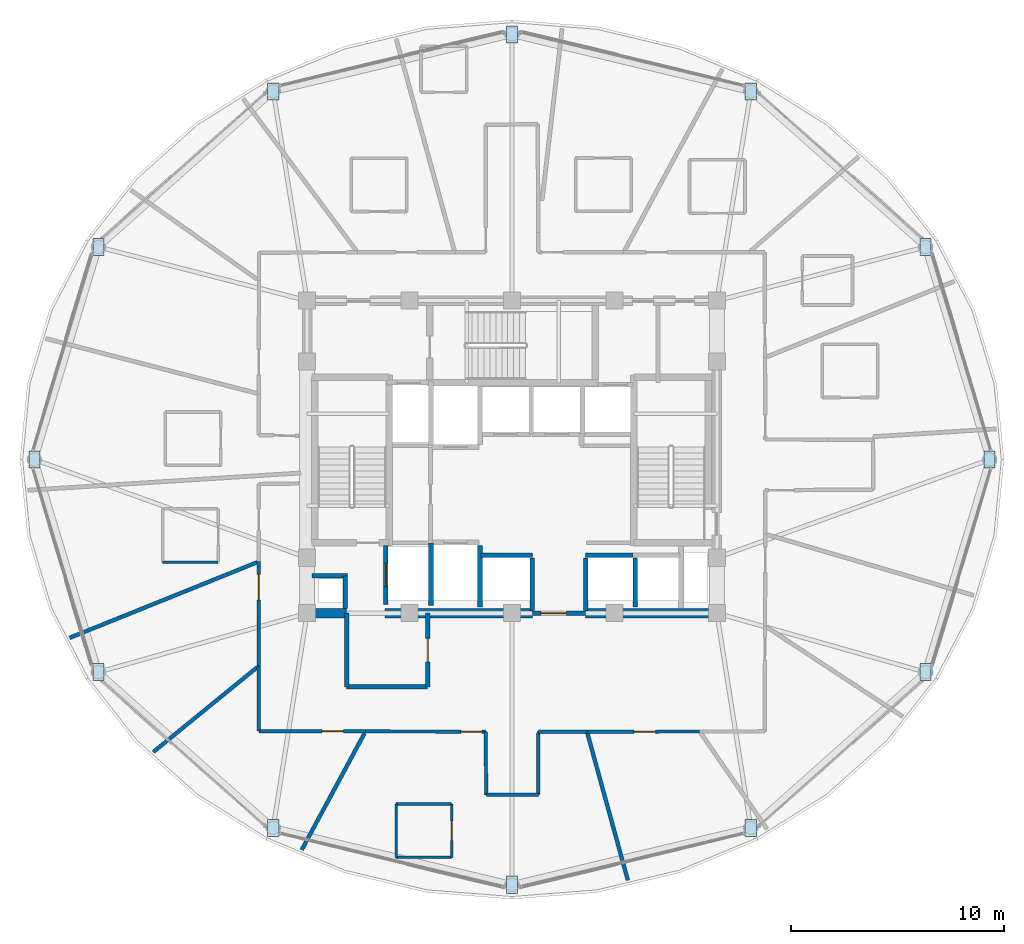
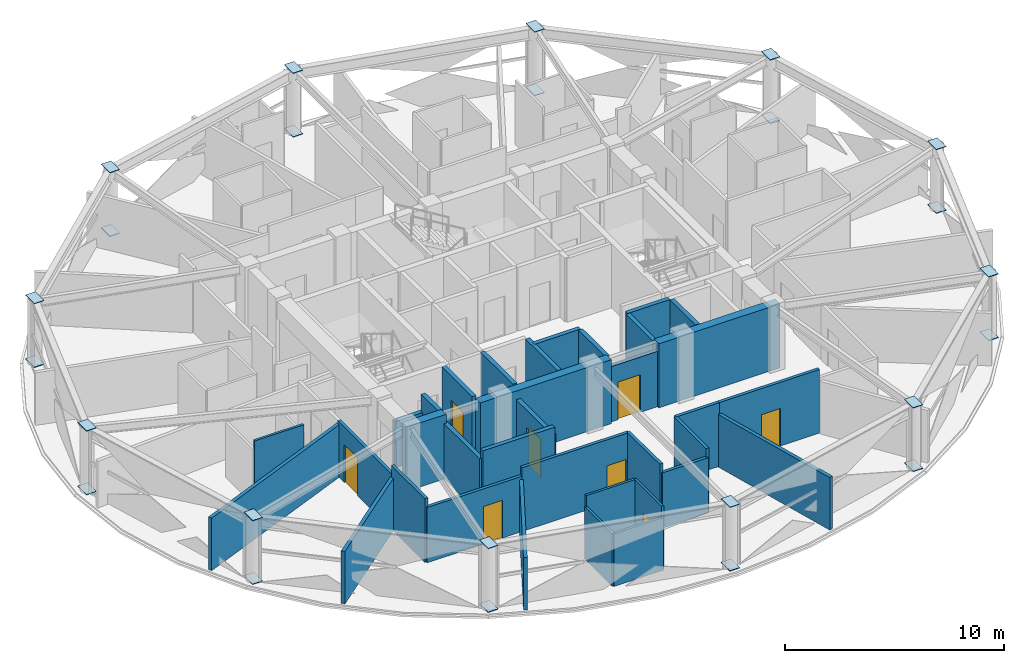
# One storey, part 22 of 30: 35 walls, 24 plates, 8 doors, 8 openings.
"""IFC4 building model written with IfcOpenShell, lengths in metres."""

from ifc_helpers import new_model, si_unit, direction, frame, frame_2d, origin, place, context, subcontext, project, spatial, polyline, rectangle, outline, extrude, material, layer, layer_set, type_object, element, fill, save


model = new_model("IFC4")

# Units and contexts
model_context = context("Model", 3, precision=1e-05, world=origin(), true_north=direction((0.0, 1.0)))
body_context = subcontext(model_context, "Body", "Model", "MODEL_VIEW")
ifc_project = project(units=[si_unit("LENGTHUNIT", "METRE"), si_unit("AREAUNIT", "SQUARE_METRE"), si_unit("VOLUMEUNIT", "CUBIC_METRE"), si_unit("PLANEANGLEUNIT", "RADIAN"), si_unit("MASSUNIT", "GRAM", prefix="KILO")], contexts=[model_context])

# Site, building, storey
site_placement = place(None, origin())
site = spatial("IfcSite", under=ifc_project, at=site_placement, CompositionType="ELEMENT")
building_placement = place(site_placement, origin())
building = spatial("IfcBuilding", under=site, at=building_placement, Name="Vantalir Tower", CompositionType="ELEMENT")
storey_placement = place(building_placement, frame((0.0, 0.0, 201.14990234375)))
storey = spatial("IfcBuildingStorey", under=building, at=storey_placement, Name="L50", CompositionType="ELEMENT", Elevation=201.14990234375)

# Plates
ifc_material_1 = material(Name="Steel S460", Category="steel")
ifc_layer_1 = layer(ifc_material_1, 0.031982421875)
ifc_layer_set_1 = layer_set([ifc_layer_1], Name="Steel S460")
plate_type = type_object("IfcPlateType", Name="PLT-KN-Z3", PredefinedType="USERDEFINED", material=ifc_layer_set_1)
for number, where, z_axis, x_axis, name in (
    (1, (53.6220703125, 25.39990234375, 3.593994140625), (0.0, 0.0, 1.0), (0.0, -1.0, 0.0), "L50 Ring Column Top Cap RC01"),
    (2, (53.6220703125, 25.39990234375, 0.052978515625), (0.0, 0.0, 1.0), (0.0, -1.0, 0.0), "L50 Ring Column Base Cap RC01"),
):
    element("IfcPlate", number, at=place(storey_placement, frame(where, z_axis=z_axis, x_axis=x_axis)), inside=storey, type_object=plate_type, Name=name, ObjectType="FLANGE_PLATE", PredefinedType="USERDEFINED", context=body_context, shape_type="SweptSolid", body=[
        extrude(outline(polyline([(0.0, 0.0), (0.7998046875, 0.0), (0.7998046875, 0.52001953125), (0.0, 0.52001953125), (0.0, 0.0)])), origin(), (0.0, 0.0, -1.0), 0.031982421875),
    ])
for number, where, z_axis, x_axis, name in (
    (3, (50.623046875, 35.362060546875, 3.593994140625), (0.0, 0.0, 1.0), (0.0, -1.0, 0.0), "L50 Ring Column Top Cap RC02"),
    (4, (50.623046875, 35.362060546875, 0.052978515625), (0.0, 0.0, 1.0), (0.0, -1.0, 0.0), "L50 Ring Column Base Cap RC02"),
    (5, (42.430908203125, 42.656005859375, 3.593994140625), (0.0, 0.0, 1.0), (0.0, -1.0, 0.0), "L50 Ring Column Top Cap RC03"),
    (6, (42.430908203125, 42.656005859375, 0.052978515625), (0.0, 0.0, 1.0), (0.0, -1.0, 0.0), "L50 Ring Column Base Cap RC03"),
    (7, (31.239990234375, 45.324951171875, 3.593994140625), (0.0, 0.0, 1.0), (0.0, -1.0, 0.0), "L50 Ring Column Top Cap RC04"),
    (8, (31.239990234375, 45.324951171875, 0.052978515625), (0.0, 0.0, 1.0), (0.0, -1.0, 0.0), "L50 Ring Column Base Cap RC04"),
    (9, (20.049072265625, 42.656005859375, 3.593994140625), (0.0, 0.0, 1.0), (0.0, -1.0, 0.0), "L50 Ring Column Top Cap RC05"),
    (10, (20.049072265625, 42.656005859375, 0.052978515625), (0.0, 0.0, 1.0), (0.0, -1.0, 0.0), "L50 Ring Column Base Cap RC05"),
    (11, (11.85693359375, 35.362060546875, 3.593994140625), (0.0, 0.0, 1.0), (0.0, -1.0, 0.0), "L50 Ring Column Top Cap RC06"),
    (12, (11.85693359375, 35.362060546875, 0.052978515625), (0.0, 0.0, 1.0), (0.0, -1.0, 0.0), "L50 Ring Column Base Cap RC06"),
):
    element("IfcPlate", number, at=place(storey_placement, frame(where, z_axis=z_axis, x_axis=x_axis)), inside=storey, type_object=plate_type, Name=name, ObjectType="FLANGE_PLATE", PredefinedType="USERDEFINED", context=body_context, shape_type="SweptSolid", body=[
        extrude(outline(polyline([(0.0, 0.0), (0.800048828125, 0.0), (0.800048828125, 0.52001953125), (0.0, 0.52001953125), (0.0, 0.0)])), origin(), (0.0, 0.0, -1.0), 0.031982421875),
    ])
for number, where, z_axis, x_axis, name in (
    (13, (8.85791015625, 25.39990234375, 3.593994140625), (0.0, 0.0, 1.0), (0.0, -1.0, 0.0), "L50 Ring Column Top Cap RC07"),
    (14, (8.85791015625, 25.39990234375, 0.052978515625), (0.0, 0.0, 1.0), (0.0, -1.0, 0.0), "L50 Ring Column Base Cap RC07"),
):
    element("IfcPlate", number, at=place(storey_placement, frame(where, z_axis=z_axis, x_axis=x_axis)), inside=storey, type_object=plate_type, Name=name, ObjectType="FLANGE_PLATE", PredefinedType="USERDEFINED", context=body_context, shape_type="SweptSolid", body=[
        extrude(outline(polyline([(0.0, 0.0), (0.7998046875, 0.0), (0.7998046875, 0.52001953125), (0.0, 0.52001953125), (0.0, 0.0)])), origin(), (0.0, 0.0, -1.0), 0.031982421875),
    ])
for number, where, z_axis, x_axis, name in (
    (15, (11.85693359375, 15.43701171875, 3.593994140625), (0.0, 0.0, 1.0), (0.0, -1.0, 0.0), "L50 Ring Column Top Cap RC08"),
    (16, (11.85693359375, 15.43701171875, 0.052978515625), (0.0, 0.0, 1.0), (0.0, -1.0, 0.0), "L50 Ring Column Base Cap RC08"),
    (17, (20.049072265625, 8.14404296875, 3.593994140625), (0.0, 0.0, 1.0), (0.0, -1.0, 0.0), "L50 Ring Column Top Cap RC09"),
    (18, (20.049072265625, 8.14404296875, 0.052978515625), (0.0, 0.0, 1.0), (0.0, -1.0, 0.0), "L50 Ring Column Base Cap RC09"),
    (19, (31.239990234375, 5.47509765625, 3.593994140625), (0.0, 0.0, 1.0), (0.0, -1.0, 0.0), "L50 Ring Column Top Cap RC10"),
    (20, (31.239990234375, 5.47509765625, 0.052978515625), (0.0, 0.0, 1.0), (0.0, -1.0, 0.0), "L50 Ring Column Base Cap RC10"),
    (21, (42.430908203125, 8.14404296875, 3.593994140625), (0.0, 0.0, 1.0), (0.0, -1.0, 0.0), "L50 Ring Column Top Cap RC11"),
    (22, (42.430908203125, 8.14404296875, 0.052978515625), (0.0, 0.0, 1.0), (0.0, -1.0, 0.0), "L50 Ring Column Base Cap RC11"),
    (23, (50.623046875, 15.43701171875, 3.593994140625), (0.0, 0.0, 1.0), (0.0, -1.0, 0.0), "L50 Ring Column Top Cap RC12"),
    (24, (50.623046875, 15.43701171875, 0.052978515625), (0.0, 0.0, 1.0), (0.0, -1.0, 0.0), "L50 Ring Column Base Cap RC12"),
):
    element("IfcPlate", number, at=place(storey_placement, frame(where, z_axis=z_axis, x_axis=x_axis)), inside=storey, type_object=plate_type, Name=name, ObjectType="FLANGE_PLATE", PredefinedType="USERDEFINED", context=body_context, shape_type="SweptSolid", body=[
        extrude(outline(polyline([(0.0, 0.0), (0.800048828125, 0.0), (0.800048828125, 0.52001953125), (0.0, 0.52001953125), (0.0, 0.0)])), origin(), (0.0, 0.0, -1.0), 0.031982421875),
    ])

# Walls
ifc_material_2 = material(Name="Moisture-resistant en-suite partition", Category="gypsum")
ifc_layer_2 = layer(ifc_material_2, 0.125)
ifc_layer_set_2 = layer_set([ifc_layer_2], Name="Moisture-resistant en-suite partition")
wall_type_1 = type_object("IfcWallType", Name="WL-BATH-125", PredefinedType="PARTITIONING", material=ifc_layer_set_2)
wall_1_placement = place(storey_placement, frame((15.1298828125, 20.18896484375, 0.0), z_axis=(0.0, 0.0, 1.0), x_axis=(1.0, 0.0, 0.0)))
element("IfcWall", 25, at=wall_1_placement, inside=storey, type_object=wall_type_1, Name="L50 En-suite 10 South Wall", PredefinedType="PARTITIONING", context=body_context, shape_type="SweptSolid", body=[
    extrude(rectangle(XDim=2.60009765625, YDim=0.125, at=frame_2d((1.300048828125, 0.0))), origin(), (0.0, 0.0, 1.0), 3.550048828125),
])
wall_2_placement = place(storey_placement, frame((26.073974609375, 6.35888671875, 0.0), z_axis=(0.0, 0.0, 1.0), x_axis=(1.0, 0.0, 0.0)))
element("IfcWall", 26, at=wall_2_placement, inside=storey, type_object=wall_type_1, Name="L50 En-suite 13 South Wall", PredefinedType="PARTITIONING", context=body_context, shape_type="SweptSolid", body=[
    extrude(rectangle(XDim=2.60009765625, YDim=0.125, at=frame_2d((1.300048828125, 0.0))), origin(), (0.0, 0.0, 1.0), 2.925048828125),
])
wall_3_placement = place(storey_placement, frame((26.073974609375, 8.85888671875, 0.0), z_axis=(0.0, 0.0, 1.0), x_axis=(1.0, 0.0, 0.0)))
element("IfcWall", 27, at=wall_3_placement, inside=storey, type_object=wall_type_1, Name="L50 En-suite 13 North Wall", PredefinedType="PARTITIONING", context=body_context, shape_type="SweptSolid", body=[
    extrude(rectangle(XDim=2.60009765625, YDim=0.125, at=frame_2d((1.300048828125, 0.0))), origin(), (0.0, 0.0, 1.0), 3.550048828125),
])
wall_4_placement = place(storey_placement, frame((26.073974609375, 6.35888671875, 0.0), z_axis=(0.0, 0.0, 1.0), x_axis=(0.0, 1.0, 0.0)))
element("IfcWall", 28, at=wall_4_placement, inside=storey, type_object=wall_type_1, Name="L50 En-suite 13 West Wall", PredefinedType="PARTITIONING", context=body_context, shape_type="SweptSolid", body=[
    extrude(rectangle(XDim=2.5, YDim=0.125, at=frame_2d((1.25, 0.0))), origin(), (0.0, 0.0, 1.0), 2.925048828125),
])

# Wall, opening, door
wall_5_placement = place(storey_placement, frame((28.674072265625, 6.35888671875, 0.0), z_axis=(0.0, 0.0, 1.0), x_axis=(0.0, 1.0, 0.0)))
wall_5 = element("IfcWall", 29, at=wall_5_placement, inside=storey, type_object=wall_type_1, Name="L50 En-suite 13 East Wall", PredefinedType="PARTITIONING", context=body_context, shape_type="SweptSolid", body=[
    extrude(rectangle(XDim=2.5, YDim=0.125, at=frame_2d((1.25, 0.0))), origin(), (0.0, 0.0, 1.0), 3.550048828125),
])
opening_1_placement = place(wall_5_placement, frame((0.800048828125, 0.0, 0.0)))
opening_1 = element("IfcOpeningElement", 30, at=opening_1_placement, cuts=wall_5, Name="Opening D-WC", PredefinedType="OPENING", context=body_context, shape_type="SweptSolid", body=[
    extrude(rectangle(XDim=0.89990234375, YDim=2.10009765625, at=frame_2d((0.449951171875, 1.050048828125))), frame((0.0, 0.072509765625, 0.0), z_axis=(0.0, -1.0, 0.0), x_axis=(1.0, 0.0, 0.0)), (0.0, 0.0, 1.0), 0.14501953125),
])
ifc_material_3 = material(Name="Moisture-resistant hardwood door", Category="wood")
door_type_1 = type_object("IfcDoorType", Name="DR-ENSUITE-900", OperationType="NOTDEFINED", PredefinedType="DOOR", material=ifc_material_3)
door_1_placement = place(opening_1_placement, origin())
door_1 = element("IfcDoor", 31, at=door_1_placement, inside=storey, type_object=door_type_1, Name="L50 En-suite 13 Door", OperationType="SINGLE_SWING_RIGHT", OverallHeight=2.10009765625, OverallWidth=0.89990234375, PredefinedType="DOOR", context=body_context, shape_type="SweptSolid", body=[
    extrude(rectangle(XDim=0.89990234375, YDim=2.10009765625, at=frame_2d((0.449951171875, 1.050048828125))), frame((0.0, 0.02490234375, 0.0), z_axis=(0.0, -1.0, 0.0), x_axis=(1.0, 0.0, 0.0)), (0.0, 0.0, 1.0), 0.050048828125),
])
fill(opening_1, door_1)

# Walls
ifc_material_4 = material(Name="Concrete C50/60", Category="concrete")
ifc_layer_3 = layer(ifc_material_4, 0.449951171875)
ifc_layer_set_3 = layer_set([ifc_layer_3], Name="Concrete C50/60")
wall_type_2 = type_object("IfcWallType", Name="WL-CORE-450", PredefinedType="SHEAR", material=ifc_layer_set_3)
wall_6_placement = place(storey_placement, frame((21.675048828125, 17.800048828125, 0.0), z_axis=(0.0, 0.0, 1.0), x_axis=(1.0, 0.0, 0.0)))
element("IfcWall", 32, at=wall_6_placement, inside=storey, type_object=wall_type_2, Name="L50 Core Shear Wall South-West", PredefinedType="SHEAR", context=body_context, shape_type="SweptSolid", body=[
    extrude(rectangle(XDim=2.074951171875, YDim=0.449951171875, at=frame_2d((1.03759765625, 0.0))), origin(), (0.0, 0.0, 1.0), 3.570068359375),
])
wall_7_placement = place(storey_placement, frame((25.550048828125, 17.800048828125, 0.0), z_axis=(0.0, 0.0, 1.0), x_axis=(1.0, 0.0, 0.0)))
element("IfcWall", 33, at=wall_7_placement, inside=storey, type_object=wall_type_2, Name="L50 Core Shear Wall South-Mid", PredefinedType="SHEAR", context=body_context, shape_type="SweptSolid", body=[
    extrude(rectangle(XDim=6.89990234375, YDim=0.449951171875, at=frame_2d((3.449951171875, 0.0))), origin(), (0.0, 0.0, 1.0), 3.570068359375),
])
wall_8_placement = place(storey_placement, frame((34.949951171875, 17.800048828125, 0.0), z_axis=(0.0, 0.0, 1.0), x_axis=(1.0, 0.0, 0.0)))
element("IfcWall", 34, at=wall_8_placement, inside=storey, type_object=wall_type_2, Name="L50 Core Shear Wall South-East", PredefinedType="SHEAR", context=body_context, shape_type="SweptSolid", body=[
    extrude(rectangle(XDim=6.375, YDim=0.449951171875, at=frame_2d((3.1875, 0.0))), origin(), (0.0, 0.0, 1.0), 3.570068359375),
])

# Wall, opening, door
ifc_material_5 = material(Name="Fire-rated hotel corridor acoustic partition", Category="gypsum")
ifc_layer_4 = layer(ifc_material_5, 0.159912109375)
ifc_layer_set_4 = layer_set([ifc_layer_4], Name="Fire-rated hotel corridor acoustic partition")
wall_type_3 = type_object("IfcWallType", Name="WL-CORR-160", PredefinedType="PARTITIONING", material=ifc_layer_set_4)
wall_9_placement = place(storey_placement, frame((40.297119140625, 12.256103515625, 0.0), z_axis=(0.0, 0.0, 1.0), x_axis=(-0.999999691772, -0.000785146627, 0.0)))
wall_9 = element("IfcWall", 35, at=wall_9_placement, inside=storey, type_object=wall_type_3, Name="L50 Corridor Partition 25", PredefinedType="PARTITIONING", context=body_context, shape_type="SweptSolid", body=[
    extrude(rectangle(XDim=5.2861328125, YDim=0.159912109375, at=frame_2d((2.64306640625, 0.0))), origin(), (0.0, 0.0, 1.0), 3.550048828125),
])
opening_2_placement = place(wall_9_placement, frame((2.070068359375, 0.0, 0.0)))
opening_2 = element("IfcOpeningElement", 36, at=opening_2_placement, cuts=wall_9, Name="Opening D-GUEST", PredefinedType="OPENING", context=body_context, shape_type="SweptSolid", body=[
    extrude(rectangle(XDim=1.0, YDim=2.10009765625, at=frame_2d((0.5, 1.050048828125))), frame((0.0, 0.08984375, 0.0), z_axis=(0.0, -1.0, 0.0), x_axis=(1.0, 0.0, 0.0)), (0.0, 0.0, 1.0), 0.179931640625),
])
ifc_material_6 = material(Name="Solid-core teak veneer acoustic fire door", Category="wood")
door_type_2 = type_object("IfcDoorType", Name="DR-GUEST-ENTRY-1000", OperationType="NOTDEFINED", PredefinedType="DOOR", material=ifc_material_6)
door_2_placement = place(opening_2_placement, origin())
door_2 = element("IfcDoor", 37, at=door_2_placement, inside=storey, type_object=door_type_2, Name="L50 Executive Business Study 14 Door", OperationType="SINGLE_SWING_LEFT", OverallHeight=2.10009765625, OverallWidth=1.0, PredefinedType="DOOR", context=body_context, shape_type="SweptSolid", body=[
    extrude(rectangle(XDim=1.0, YDim=2.10009765625, at=frame_2d((0.5, 1.050048828125))), frame((0.0, 0.02490234375, 0.0), z_axis=(0.0, -1.0, 0.0), x_axis=(1.0, 0.0, 0.0)), (0.0, 0.0, 1.0), 0.050048828125),
])
fill(opening_2, door_2)

# Walls
wall_10_placement = place(storey_placement, frame((35.010986328125, 12.251953125, 0.0), z_axis=(0.0, 0.0, 1.0), x_axis=(-0.999999630174, -0.000860029783, 0.0)))
element("IfcWall", 38, at=wall_10_placement, inside=storey, type_object=wall_type_3, Name="L50 Corridor Partition 26", PredefinedType="PARTITIONING", context=body_context, shape_type="SweptSolid", body=[
    extrude(rectangle(XDim=2.27099609375, YDim=0.159912109375, at=frame_2d((1.135498046875, 0.0))), origin(), (0.0, 0.0, 1.0), 3.550048828125),
])
wall_11_placement = place(storey_placement, frame((32.739990234375, 12.25, 0.0), z_axis=(0.0, 0.0, 1.0), x_axis=(-0.003062139082, -0.999995311641, 0.0)))
element("IfcWall", 39, at=wall_11_placement, inside=storey, type_object=wall_type_3, Name="L50 Corridor Partition 27", PredefinedType="PARTITIONING", context=body_context, shape_type="SweptSolid", body=[
    extrude(rectangle(XDim=2.949951171875, YDim=0.159912109375, at=frame_2d((1.47509765625, 0.0))), origin(), (0.0, 0.0, 1.0), 3.550048828125),
])
wall_12_placement = place(storey_placement, frame((32.73095703125, 9.300048828125, 0.0), z_axis=(0.0, 0.0, 1.0), x_axis=(-0.999980680225, -0.006216041926, 0.0)))
element("IfcWall", 40, at=wall_12_placement, inside=storey, type_object=wall_type_3, Name="L50 Corridor Partition 28", PredefinedType="PARTITIONING", context=body_context, shape_type="SweptSolid", body=[
    extrude(rectangle(XDim=2.43505859375, YDim=0.159912109375, at=frame_2d((1.217529296875, 0.0))), origin(), (0.0, 0.0, 1.0), 3.0810546875),
])
wall_13_placement = place(storey_placement, frame((30.2958984375, 9.284912109375, 0.0), z_axis=(0.0, 0.0, 1.0), x_axis=(-0.012102859892, 0.999926757709, 0.0)))
element("IfcWall", 41, at=wall_13_placement, inside=storey, type_object=wall_type_3, Name="L50 Corridor Partition 29", PredefinedType="PARTITIONING", context=body_context, shape_type="SweptSolid", body=[
    extrude(rectangle(XDim=2.96533203125, YDim=0.159912109375, at=frame_2d((1.482666015625, 0.0))), origin(), (0.0, 0.0, 1.0), 3.550048828125),
])

# Wall, opening, door
wall_14_placement = place(storey_placement, frame((30.260009765625, 12.25, 0.0), z_axis=(0.0, 0.0, 1.0), x_axis=(-0.999998091994, 0.001953460416, 0.0)))
wall_14 = element("IfcWall", 42, at=wall_14_placement, inside=storey, type_object=wall_type_3, Name="L50 Corridor Partition 30", PredefinedType="PARTITIONING", context=body_context, shape_type="SweptSolid", body=[
    extrude(rectangle(XDim=5.6240234375, YDim=0.159912109375, at=frame_2d((2.81201171875, 0.0))), origin(), (0.0, 0.0, 1.0), 3.550048828125),
])
opening_3_placement = place(wall_14_placement, frame((0.159912109375, 0.0, 0.0)))
opening_3 = element("IfcOpeningElement", 43, at=opening_3_placement, cuts=wall_14, Name="Opening D-GUEST", PredefinedType="OPENING", context=body_context, shape_type="SweptSolid", body=[
    extrude(rectangle(XDim=1.0, YDim=2.10009765625, at=frame_2d((0.5, 1.050048828125))), frame((0.0, 0.08984375, 0.0), z_axis=(0.0, -1.0, 0.0), x_axis=(1.0, 0.0, 0.0)), (0.0, 0.0, 1.0), 0.179931640625),
])
door_3_placement = place(opening_3_placement, origin())
door_3 = element("IfcDoor", 44, at=door_3_placement, inside=storey, type_object=door_type_2, Name="L50 Twin Queen Hotel Room 13 Door", OperationType="SINGLE_SWING_RIGHT", OverallHeight=2.10009765625, OverallWidth=1.0, PredefinedType="DOOR", context=body_context, shape_type="SweptSolid", body=[
    extrude(rectangle(XDim=1.0, YDim=2.10009765625, at=frame_2d((0.5, 1.050048828125))), frame((0.0, 0.02490234375, 0.0), z_axis=(0.0, -1.0, 0.0), x_axis=(1.0, 0.0, 0.0)), (0.0, 0.0, 1.0), 0.050048828125),
])
fill(opening_3, door_3)

wall_15_placement = place(storey_placement, frame((24.635986328125, 12.260986328125, 0.0), z_axis=(0.0, 0.0, 1.0), x_axis=(-0.999997992963, 0.002003514353, 0.0)))
wall_15 = element("IfcWall", 45, at=wall_15_placement, inside=storey, type_object=wall_type_3, Name="L50 Corridor Partition 31", PredefinedType="PARTITIONING", context=body_context, shape_type="SweptSolid", body=[
    extrude(rectangle(XDim=4.99609375, YDim=0.159912109375, at=frame_2d((2.498046875, 0.0))), origin(), (0.0, 0.0, 1.0), 3.0810546875),
])
opening_4_placement = place(wall_15_placement, frame((1.0419921875, 0.0, 0.0)))
opening_4 = element("IfcOpeningElement", 46, at=opening_4_placement, cuts=wall_15, Name="Opening D-GUEST", PredefinedType="OPENING", context=body_context, shape_type="SweptSolid", body=[
    extrude(rectangle(XDim=1.0, YDim=2.10009765625, at=frame_2d((0.5, 1.050048828125))), frame((0.0, 0.08984375, 0.0), z_axis=(0.0, -1.0, 0.0), x_axis=(1.0, 0.0, 0.0)), (0.0, 0.0, 1.0), 0.179931640625),
])
door_4_placement = place(opening_4_placement, origin())
door_4 = element("IfcDoor", 47, at=door_4_placement, inside=storey, type_object=door_type_2, Name="L50 Club Reading Lounge 12 Door", OperationType="SINGLE_SWING_LEFT", OverallHeight=2.10009765625, OverallWidth=1.0, PredefinedType="DOOR", context=body_context, shape_type="SweptSolid", body=[
    extrude(rectangle(XDim=1.0, YDim=2.10009765625, at=frame_2d((0.5, 1.050048828125))), frame((0.0, 0.02490234375, 0.0), z_axis=(0.0, -1.0, 0.0), x_axis=(1.0, 0.0, 0.0)), (0.0, 0.0, 1.0), 0.050048828125),
])
fill(opening_4, door_4)

# Wall
wall_16_placement = place(storey_placement, frame((19.639892578125, 12.27099609375, 0.0), z_axis=(0.0, 0.0, 1.0), x_axis=(-0.000319030132, 0.99999994911, 0.0)))
element("IfcWall", 48, at=wall_16_placement, inside=storey, type_object=wall_type_3, Name="L50 Corridor Partition 32", PredefinedType="PARTITIONING", context=body_context, shape_type="SweptSolid", body=[
    extrude(rectangle(XDim=3.06103515625, YDim=0.159912109375, at=frame_2d((1.530517578125, 0.0))), origin(), (0.0, 0.0, 1.0), 3.550048828125),
])

# Wall, opening, door
wall_17_placement = place(storey_placement, frame((19.638916015625, 15.33203125, 0.0), z_axis=(0.0, 0.0, 1.0), x_axis=(-0.000399660257, 0.999999920136, 0.0)))
wall_17 = element("IfcWall", 49, at=wall_17_placement, inside=storey, type_object=wall_type_3, Name="L50 Corridor Partition 33", PredefinedType="PARTITIONING", context=body_context, shape_type="SweptSolid", body=[
    extrude(rectangle(XDim=4.886962890625, YDim=0.159912109375, at=frame_2d((2.443359375, 0.0))), origin(), (0.0, 0.0, 1.0), 3.0810546875),
])
opening_5_placement = place(wall_17_placement, frame((3.087890625, 0.0, 0.0)))
opening_5 = element("IfcOpeningElement", 50, at=opening_5_placement, cuts=wall_17, Name="Opening D-STE", PredefinedType="OPENING", context=body_context, shape_type="SweptSolid", body=[
    extrude(rectangle(XDim=1.199951171875, YDim=2.10009765625, at=frame_2d((0.60009765625, 1.050048828125))), frame((0.0, 0.08984375, 0.0), z_axis=(0.0, -1.0, 0.0), x_axis=(1.0, 0.0, 0.0)), (0.0, 0.0, 1.0), 0.179931640625),
])
ifc_material_7 = material(Name="Solid-core teak veneer suite entrance door", Category="wood")
door_type_3 = type_object("IfcDoorType", Name="DR-SUITE-ENTRY-1200", OperationType="NOTDEFINED", PredefinedType="DOOR", material=ifc_material_7)
door_5_placement = place(opening_5_placement, origin())
door_5 = element("IfcDoor", 51, at=door_5_placement, inside=storey, type_object=door_type_3, Name="L50 Club Reading Lounge 11 Door", OperationType="SINGLE_SWING_RIGHT", OverallHeight=2.10009765625, OverallWidth=1.199951171875, PredefinedType="DOOR", context=body_context, shape_type="SweptSolid", body=[
    extrude(rectangle(XDim=1.199951171875, YDim=2.10009765625, at=frame_2d((0.60009765625, 1.050048828125))), frame((0.0, 0.02490234375, 0.0), z_axis=(0.0, -1.0, 0.0), x_axis=(1.0, 0.0, 0.0)), (0.0, 0.0, 1.0), 0.050048828125),
])
fill(opening_5, door_5)

# Walls
ifc_material_8 = material(Name="Concrete blockwork with fireboard lining", Category="masonry")
ifc_layer_5 = layer(ifc_material_8, 0.219970703125)
ifc_layer_set_5 = layer_set([ifc_layer_5], Name="Concrete blockwork with fireboard lining")
wall_type_4 = type_object("IfcWallType", Name="WL-FFL-220", PredefinedType="PARTITIONING", material=ifc_layer_set_5)
wall_18_placement = place(storey_placement, frame((30.0, 18.080078125, 0.0), z_axis=(0.0, 0.0, 1.0), x_axis=(0.0, 1.0, 0.0)))
element("IfcWall", 52, at=wall_18_placement, inside=storey, type_object=wall_type_4, Name="L50 Service Lift SV1 East Shaft Wall", PredefinedType="PARTITIONING", context=body_context, shape_type="SweptSolid", body=[
    extrude(rectangle(XDim=2.89990234375, YDim=0.219970703125, at=frame_2d((1.449951171875, 0.0))), origin(), (0.0, 0.0, 1.0), 3.545166015625),
])
for number, where, z_axis, x_axis, name in (
    (53, (32.449951171875, 17.919921875, 0.0), (0.0, 0.0, 1.0), (0.0, 1.0, 0.0), "L50 Shuttle Lift PL-X1 East Shaft Cheek"),
    (54, (34.949951171875, 17.919921875, 0.0), (0.0, 0.0, 1.0), (0.0, 1.0, 0.0), "L50 Shuttle Lift PL-X3 West Shaft Cheek"),
):
    element("IfcWall", number, at=place(storey_placement, frame(where, z_axis=z_axis, x_axis=x_axis)), inside=storey, type_object=wall_type_4, Name=name, PredefinedType="PARTITIONING", context=body_context, shape_type="SweptSolid", body=[
        extrude(rectangle(XDim=2.469970703125, YDim=0.219970703125, at=frame_2d((1.23486328125, 0.0))), origin(), (0.0, 0.0, 1.0), 3.545166015625),
    ])
wall_19_placement = place(storey_placement, frame((37.27490234375, 18.080078125, 0.0), z_axis=(0.0, 0.0, 1.0), x_axis=(0.0, 1.0, 0.0)))
element("IfcWall", 55, at=wall_19_placement, inside=storey, type_object=wall_type_4, Name="L50 Shuttle Lift PL-X2/X3 Shaft Divider", PredefinedType="PARTITIONING", context=body_context, shape_type="SweptSolid", body=[
    extrude(rectangle(XDim=2.309814453125, YDim=0.219970703125, at=frame_2d((1.15478515625, 0.0))), origin(), (0.0, 0.0, 1.0), 3.545166015625),
])

# Wall, opening, door
wall_20_placement = place(storey_placement, frame((32.449951171875, 17.800048828125, 0.0), z_axis=(0.0, 0.0, 1.0), x_axis=(1.0, 0.0, 0.0)))
wall_20 = element("IfcWall", 56, at=wall_20_placement, inside=storey, type_object=wall_type_4, Name="L50 Passenger Lift Lobby South Wall", PredefinedType="PARTITIONING", context=body_context, shape_type="SweptSolid", body=[
    extrude(rectangle(XDim=2.5, YDim=0.219970703125, at=frame_2d((1.25, 0.0))), origin(), (0.0, 0.0, 1.0), 3.0810546875),
])
opening_6_placement = place(wall_20_placement, frame((0.39990234375, 0.0, 0.0)))
opening_6 = element("IfcOpeningElement", 57, at=opening_6_placement, cuts=wall_20, Name="Opening D-STE", PredefinedType="OPENING", context=body_context, shape_type="SweptSolid", body=[
    extrude(rectangle(XDim=1.199951171875, YDim=2.10009765625, at=frame_2d((0.60009765625, 1.050048828125))), frame((0.0, 0.119873046875, 0.0), z_axis=(0.0, -1.0, 0.0), x_axis=(1.0, 0.0, 0.0)), (0.0, 0.0, 1.0), 0.239990234375),
])
door_6_placement = place(opening_6_placement, origin())
door_6 = element("IfcDoor", 58, at=door_6_placement, inside=storey, type_object=door_type_3, Name="L50 Passenger Lift Lobby Concourse Door", OperationType="SINGLE_SWING_LEFT", OverallHeight=2.10009765625, OverallWidth=1.199951171875, PredefinedType="DOOR", context=body_context, shape_type="SweptSolid", body=[
    extrude(rectangle(XDim=1.199951171875, YDim=2.10009765625, at=frame_2d((0.60009765625, 1.050048828125))), frame((0.0, 0.02490234375, 0.0), z_axis=(0.0, -1.0, 0.0), x_axis=(1.0, 0.0, 0.0)), (0.0, 0.0, 1.0), 0.050048828125),
])
fill(opening_6, door_6)

# Walls
wall_21_placement = place(storey_placement, frame((23.679931640625, 18.02490234375, 0.0), z_axis=(0.0, 0.0, 1.0), x_axis=(0.0, 1.0, 0.0)))
element("IfcWall", 59, at=wall_21_placement, inside=storey, type_object=wall_type_4, Name="L50 West MEP Riser Wall E", PredefinedType="PARTITIONING", context=body_context, shape_type="SweptSolid", body=[
    extrude(rectangle(XDim=1.525146484375, YDim=0.219970703125, at=frame_2d((0.7626953125, 0.0))), origin(), (0.0, 0.0, 1.0), 3.550048828125),
])
wall_22_placement = place(storey_placement, frame((22.125, 19.550048828125, 0.0), z_axis=(0.0, 0.0, 1.0), x_axis=(1.0, 0.0, 0.0)))
element("IfcWall", 60, at=wall_22_placement, inside=storey, type_object=wall_type_4, Name="L50 West MEP Riser Wall N", PredefinedType="PARTITIONING", context=body_context, shape_type="SweptSolid", body=[
    extrude(rectangle(XDim=1.6650390625, YDim=0.219970703125, at=frame_2d((0.83251953125, 0.0))), origin(), (0.0, 0.0, 1.0), 2.59521484375),
])

# Wall, opening, door
wall_23_placement = place(storey_placement, frame((25.590087890625, 18.219970703125, 0.0), z_axis=(0.0, 0.0, 1.0), x_axis=(0.0, 1.0, 0.0)))
wall_23 = element("IfcWall", 61, at=wall_23_placement, inside=storey, type_object=wall_type_4, Name="L50 Lift FL1 Shaft Front Wall", PredefinedType="PARTITIONING", context=body_context, shape_type="SweptSolid", body=[
    extrude(rectangle(XDim=2.760009765625, YDim=0.219970703125, at=frame_2d((1.3798828125, 0.0))), origin(), (0.0, 0.0, 1.0), 3.550048828125),
])
opening_7_placement = place(wall_23_placement, frame((0.830078125, 0.0, 0.0)))
opening_7 = element("IfcOpeningElement", 62, at=opening_7_placement, cuts=wall_23, Name="Opening LD-FL1", PredefinedType="OPENING", context=body_context, shape_type="SweptSolid", body=[
    extrude(rectangle(XDim=1.10009765625, YDim=2.199951171875, at=frame_2d((0.550048828125, 1.10009765625))), frame((0.0, 0.119873046875, 0.0), z_axis=(0.0, -1.0, 0.0), x_axis=(1.0, 0.0, 0.0)), (0.0, 0.0, 1.0), 0.239990234375),
])
ifc_material_9 = material(Name="Brushed stainless-steel sliding lift landing door", Category="steel")
door_type_4 = type_object("IfcDoorType", Name="DR-LIFT-LANDING-1100", OperationType="DOUBLE_DOOR_SLIDING", PredefinedType="DOOR", material=ifc_material_9)
door_7_placement = place(opening_7_placement, origin())
door_7 = element("IfcDoor", 63, at=door_7_placement, inside=storey, type_object=door_type_4, Name="L50 Lift Landing Door FL1", OperationType="DOUBLE_DOOR_SLIDING", OverallHeight=2.199951171875, OverallWidth=1.10009765625, PredefinedType="DOOR", context=body_context, shape_type="SweptSolid", body=[
    extrude(rectangle(XDim=1.10009765625, YDim=2.199951171875, at=frame_2d((0.550048828125, 1.10009765625))), frame((0.0, 0.02490234375, 0.0), z_axis=(0.0, -1.0, 0.0), x_axis=(1.0, 0.0, 0.0)), (0.0, 0.0, 1.0), 0.050048828125),
])
fill(opening_7, door_7)

# Walls
wall_24_placement = place(storey_placement, frame((30.0400390625, 20.510009765625, 0.0), z_axis=(0.0, 0.0, 1.0), x_axis=(1.0, 0.0, 0.0)))
element("IfcWall", 64, at=wall_24_placement, inside=storey, type_object=wall_type_4, Name="L50 Lift PL-X1 Shaft Front Wall", PredefinedType="PARTITIONING", context=body_context, shape_type="SweptSolid", body=[
    extrude(rectangle(XDim=2.419921875, YDim=0.219970703125, at=frame_2d((1.2099609375, 0.0))), origin(), (0.0, 0.0, 1.0), 3.550048828125),
])
wall_25_placement = place(storey_placement, frame((34.93994140625, 20.510009765625, 0.0), z_axis=(0.0, 0.0, 1.0), x_axis=(1.0, 0.0, 0.0)))
element("IfcWall", 65, at=wall_25_placement, inside=storey, type_object=wall_type_4, Name="L50 Lift PL-X3 Shaft Front Wall", PredefinedType="PARTITIONING", context=body_context, shape_type="SweptSolid", body=[
    extrude(rectangle(XDim=2.239990234375, YDim=0.219970703125, at=frame_2d((1.1201171875, 0.0))), origin(), (0.0, 0.0, 1.0), 3.550048828125),
])
wall_26_placement = place(storey_placement, frame((27.699951171875, 18.14990234375, 0.0), z_axis=(0.0, 0.0, 1.0), x_axis=(0.0, 1.0, 0.0)))
element("IfcWall", 66, at=wall_26_placement, inside=storey, type_object=wall_type_4, Name="L50 Fire Lift FL1 Dividing Wall", PredefinedType="PARTITIONING", context=body_context, shape_type="SweptSolid", body=[
    extrude(rectangle(XDim=2.9501953125, YDim=0.219970703125, at=frame_2d((1.47509765625, 0.0))), origin(), (0.0, 0.0, 1.0), 3.550048828125),
])
wall_27_placement = place(storey_placement, frame((23.75, 14.35009765625, 0.0), z_axis=(0.0, 0.0, 1.0), x_axis=(0.0, 1.0, 0.0)))
element("IfcWall", 67, at=wall_27_placement, inside=storey, type_object=wall_type_4, Name="L50 Firefighting Lobby West Outer W", PredefinedType="PARTITIONING", context=body_context, shape_type="SweptSolid", body=[
    extrude(rectangle(XDim=3.449951171875, YDim=0.219970703125, at=frame_2d((1.72509765625, 0.0))), origin(), (0.0, 0.0, 1.0), 3.0810546875),
])
wall_28_placement = place(storey_placement, frame((23.75, 14.35009765625, 0.0), z_axis=(0.0, 0.0, 1.0), x_axis=(1.0, 0.0, 0.0)))
element("IfcWall", 68, at=wall_28_placement, inside=storey, type_object=wall_type_4, Name="L50 Firefighting Lobby West South Wall", PredefinedType="PARTITIONING", context=body_context, shape_type="SweptSolid", body=[
    extrude(rectangle(XDim=3.800048828125, YDim=0.219970703125, at=frame_2d((1.89990234375, 0.0))), origin(), (0.0, 0.0, 1.0), 3.550048828125),
])

# Wall, opening, door
wall_29_placement = place(storey_placement, frame((27.550048828125, 14.35009765625, 0.0), z_axis=(0.0, 0.0, 1.0), x_axis=(0.0, 1.0, 0.0)))
wall_29 = element("IfcWall", 69, at=wall_29_placement, inside=storey, type_object=wall_type_4, Name="L50 Firefighting Lobby West East Wall", PredefinedType="PARTITIONING", context=body_context, shape_type="SweptSolid", body=[
    extrude(rectangle(XDim=3.449951171875, YDim=0.219970703125, at=frame_2d((1.72509765625, 0.0))), origin(), (0.0, 0.0, 1.0), 3.0810546875),
])
opening_8_placement = place(wall_29_placement, frame((1.175048828125, 0.0, 0.0)))
opening_8 = element("IfcOpeningElement", 70, at=opening_8_placement, cuts=wall_29, Name="Opening D-FFL", PredefinedType="OPENING", context=body_context, shape_type="SweptSolid", body=[
    extrude(rectangle(XDim=1.10009765625, YDim=2.10009765625, at=frame_2d((0.550048828125, 1.050048828125))), frame((0.0, 0.119873046875, 0.0), z_axis=(0.0, -1.0, 0.0), x_axis=(1.0, 0.0, 0.0)), (0.0, 0.0, 1.0), 0.239990234375),
])
ifc_material_10 = material(Name="Fire-rated acoustic steel door", Category="steel")
door_type_5 = type_object("IfcDoorType", Name="DR-FIRE-LOBBY-1100", OperationType="NOTDEFINED", PredefinedType="DOOR", material=ifc_material_10)
door_8_placement = place(opening_8_placement, origin())
door_8 = element("IfcDoor", 71, at=door_8_placement, inside=storey, type_object=door_type_5, Name="L50 Firefighting Lobby West Access Door", OperationType="SINGLE_SWING_LEFT", OverallHeight=2.10009765625, OverallWidth=1.10009765625, PredefinedType="DOOR", context=body_context, shape_type="SweptSolid", body=[
    extrude(rectangle(XDim=1.10009765625, YDim=2.10009765625, at=frame_2d((0.550048828125, 1.050048828125))), frame((0.0, 0.02490234375, 0.0), z_axis=(0.0, -1.0, 0.0), x_axis=(1.0, 0.0, 0.0)), (0.0, 0.0, 1.0), 0.050048828125),
])
fill(opening_8, door_8)

# Walls
ifc_material_11 = material(Name="Twin-stud acoustic fire-rated gypsum partition", Category="gypsum")
ifc_layer_6 = layer(ifc_material_11, 0.179931640625)
ifc_layer_set_6 = layer_set([ifc_layer_6], Name="Twin-stud acoustic fire-rated gypsum partition")
wall_type_5 = type_object("IfcWallType", Name="WL-GUEST-180", PredefinedType="PARTITIONING", material=ifc_layer_set_6)
wall_30_placement = place(storey_placement, frame((19.56005859375, 20.18798828125, 0.0), z_axis=(0.0, 0.0, 1.0), x_axis=(-0.927492765912, -0.373841101514, 0.0)))
element("IfcWall", 72, at=wall_30_placement, inside=storey, type_object=wall_type_5, Name="L50 Radial Suite Partition 11", PredefinedType="PARTITIONING", context=body_context, shape_type="SweptSolid", body=[
    extrude(rectangle(XDim=9.477294921875, YDim=0.179931640625, at=frame_2d((4.73876953125, 0.0))), origin(), (0.0, 0.0, 1.0), 2.925048828125),
])
wall_31_placement = place(storey_placement, frame((19.56005859375, 15.26806640625, 0.0), z_axis=(0.0, 0.0, 1.0), x_axis=(-0.775100365199, -0.631838131066, 0.0)))
element("IfcWall", 73, at=wall_31_placement, inside=storey, type_object=wall_type_5, Name="L50 Radial Suite Partition 12", PredefinedType="PARTITIONING", context=body_context, shape_type="SweptSolid", body=[
    extrude(rectangle(XDim=6.283203125, YDim=0.179931640625, at=frame_2d((3.1416015625, 0.0))), origin(), (0.0, 0.0, 1.0), 2.925048828125),
])
wall_32_placement = place(storey_placement, frame((24.590087890625, 12.175048828125, 0.0), z_axis=(0.0, 0.0, 1.0), x_axis=(-0.474249810431, -0.880390320997, 0.0)))
element("IfcWall", 74, at=wall_32_placement, inside=storey, type_object=wall_type_5, Name="L50 Radial Suite Partition 13", PredefinedType="PARTITIONING", context=body_context, shape_type="SweptSolid", body=[
    extrude(rectangle(XDim=6.2119140625, YDim=0.179931640625, at=frame_2d((3.10595703125, 0.0))), origin(), (0.0, 0.0, 1.0), 2.925048828125),
])
wall_33_placement = place(storey_placement, frame((35.032958984375, 12.175048828125, 0.0), z_axis=(0.0, 0.0, 1.0), x_axis=(0.265440726874, -0.964127180675, 0.0)))
element("IfcWall", 75, at=wall_33_placement, inside=storey, type_object=wall_type_5, Name="L50 Radial Suite Partition 14", PredefinedType="PARTITIONING", context=body_context, shape_type="SweptSolid", body=[
    extrude(rectangle(XDim=7.146484375, YDim=0.179931640625, at=frame_2d((3.5732421875, 0.0))), origin(), (0.0, 0.0, 1.0), 2.925048828125),
])

save(model, "model.ifc")
